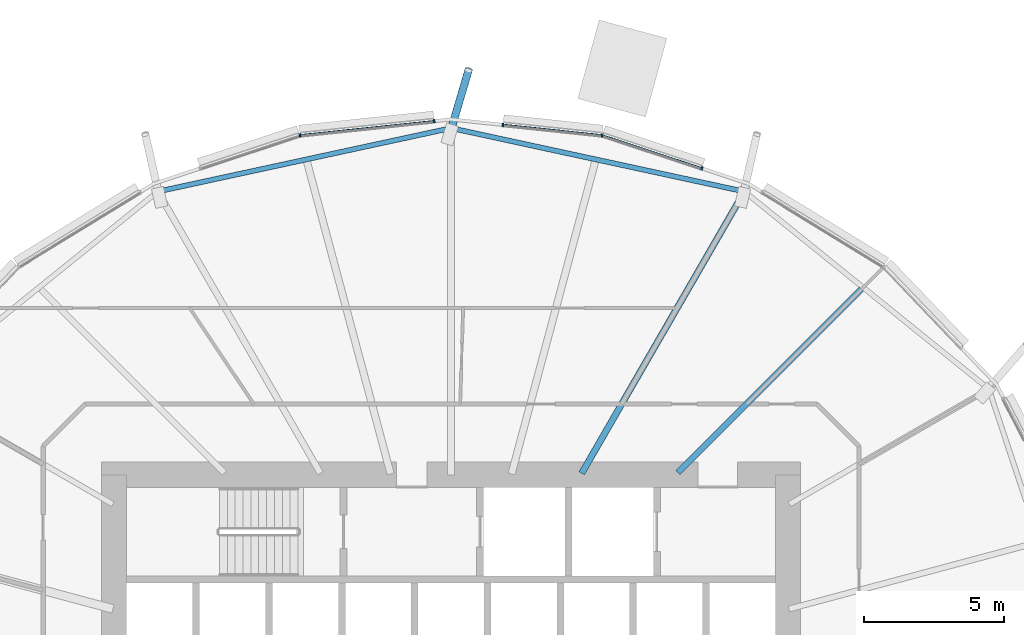
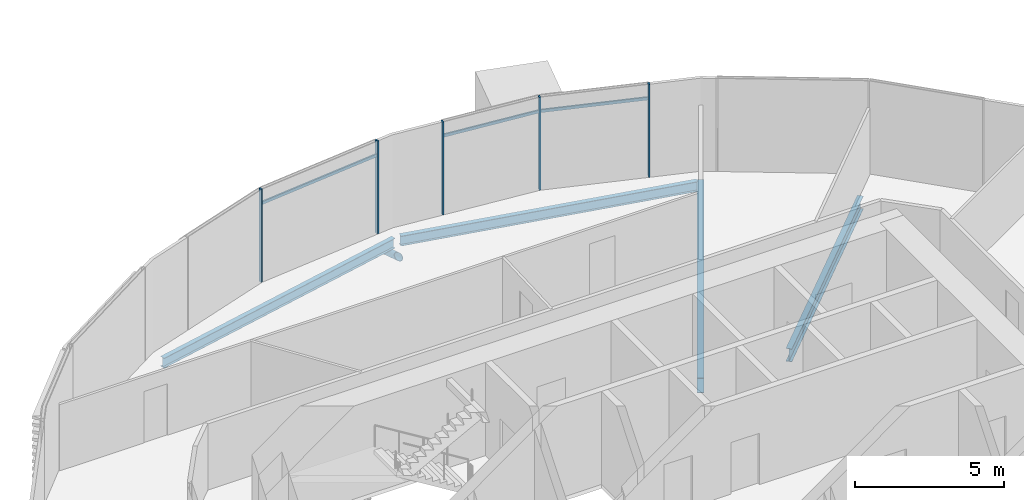
# One storey, part 10 of 38: 9 members, 4 beams, 1 element without a shape of its own.
"""IFC4 building model written with IfcOpenShell, lengths in metres."""

from ifc_helpers import new_model, si_unit, direction, frame, origin, origin_2d, place, context, subcontext, project, spatial, rectangle, hollow_circle, i_section, extrude, clip, halfspace, material, material_profile, profile_set, type_object, element, aggregate, save


model = new_model("IFC4")

# Units and contexts
model_context = context("Model", 3, precision=1e-05, world=origin(), true_north=direction((0.0, 1.0)))
body_context = subcontext(model_context, "Body", "Model", "MODEL_VIEW")
ifc_project = project(units=[si_unit("LENGTHUNIT", "METRE"), si_unit("AREAUNIT", "SQUARE_METRE"), si_unit("VOLUMEUNIT", "CUBIC_METRE"), si_unit("PLANEANGLEUNIT", "RADIAN"), si_unit("MASSUNIT", "GRAM", prefix="KILO")], contexts=[model_context])

# Site, building, storey
site_placement = place(None, origin())
site = spatial("IfcSite", under=ifc_project, at=site_placement, CompositionType="ELEMENT")
building_placement = place(site_placement, origin())
building = spatial("IfcBuilding", under=site, at=building_placement, Name="Rimbun Link Towers", CompositionType="ELEMENT")
storey_placement = place(building_placement, frame((0.0, 0.0, 56.60009765625)))
storey = spatial("IfcBuildingStorey", under=building, at=storey_placement, Name="L13", CompositionType="ELEMENT", Elevation=56.60009765625)

# Curtain wall, members
ifc_material_1 = material(Name="Aluminium 6063-T6 and low-iron glass", Category="aluminium")
curtain_wall_type = type_object("IfcCurtainWallType", Name="CW1 unitised vision wall", PredefinedType="NOTDEFINED", material=ifc_material_1)
curtain_wall_placement = place(storey_placement, origin())
curtain_wall = element("IfcCurtainWall", 1, at=curtain_wall_placement, inside=storey, type_object=curtain_wall_type, Name="CW1 L13 T1", PredefinedType="NOTDEFINED")
ifc_material_2 = material(Name="Aluminium 6063-T6", Category="aluminium")
ifc_material_profile_1 = material_profile(ifc_material_2, rectangle(XDim=0.1201171875, YDim=0.06005859375, at=origin_2d()), Name="MULLION 60X120")
ifc_profile_set_1 = profile_set([ifc_material_profile_1], Name="Aluminium 6063-T6")
member_type_1 = type_object("IfcMemberType", Name="CW1 mullion 60X120", PredefinedType="MULLION", material=ifc_profile_set_1)
member_1_placement = place(storey_placement, frame((-26.369384765625, 20.09228515625, 0.0), z_axis=(0.0, 0.0, 1.0), x_axis=(0.210873842747, 0.977513285048, 0.0)))
member_1 = element("IfcMember", 2, at=member_1_placement, type_object=member_type_1, Name="CW1 mullion", PredefinedType="MULLION", context=body_context, shape_type="SweptSolid", body=[
    extrude(rectangle(XDim=0.1201171875, YDim=0.06005859375, at=origin_2d()), origin(), (0.0, 0.0, 1.0), 3.7998046875),
])
member_2_placement = place(storey_placement, frame((-22.8212890625, 18.9169921875, 0.0), z_axis=(0.0, 0.0, 1.0), x_axis=(0.314563424855, 0.949236457235, 0.0)))
member_2 = element("IfcMember", 3, at=member_2_placement, type_object=member_type_1, Name="CW1 mullion", PredefinedType="MULLION", context=body_context, shape_type="SweptSolid", body=[
    extrude(rectangle(XDim=0.1201171875, YDim=0.06005859375, at=origin_2d()), origin(), (0.0, 0.0, 1.0), 3.7998046875),
])
member_3_placement = place(storey_placement, frame((-29.90380859375, 20.465087890625, 0.0), z_axis=(0.0, 0.0, 1.0), x_axis=(0.104748434017, 0.994498750915, 0.0)))
member_3 = element("IfcMember", 4, at=member_3_placement, type_object=member_type_1, Name="CW1 mullion", PredefinedType="MULLION", context=body_context, shape_type="SweptSolid", body=[
    extrude(rectangle(XDim=0.1201171875, YDim=0.06005859375, at=origin_2d()), origin(), (0.0, 0.0, 1.0), 3.7998046875),
])
member_4_placement = place(storey_placement, frame((-37.130615234375, 20.09228515625, 0.0), z_axis=(0.0, 0.0, 1.0), x_axis=(-0.210873842747, 0.977513285048, 0.0)))
member_4 = element("IfcMember", 5, at=member_4_placement, type_object=member_type_1, Name="CW1 mullion", PredefinedType="MULLION", context=body_context, shape_type="SweptSolid", body=[
    extrude(rectangle(XDim=0.1201171875, YDim=0.06005859375, at=origin_2d()), origin(), (0.0, 0.0, 1.0), 3.7998046875),
])
member_5_placement = place(storey_placement, frame((-32.35302734375, 20.595947265625, 0.0), z_axis=(0.0, 0.0, 1.0), x_axis=(-0.104748434017, 0.994498750915, 0.0)))
member_5 = element("IfcMember", 6, at=member_5_placement, type_object=member_type_1, Name="CW1 mullion", PredefinedType="MULLION", context=body_context, shape_type="SweptSolid", body=[
    extrude(rectangle(XDim=0.1201171875, YDim=0.06005859375, at=origin_2d()), origin(), (0.0, 0.0, 1.0), 3.7998046875),
])
ifc_material_3 = material(Name="Aluminium 6063-T6", Category="aluminium")
ifc_material_profile_2 = material_profile(ifc_material_3, rectangle(XDim=0.06005859375, YDim=0.1201171875, at=origin_2d()), Name="TRANSOM 60X120")
ifc_profile_set_2 = profile_set([ifc_material_profile_2], Name="Aluminium 6063-T6")
member_type_2 = type_object("IfcMemberType", Name="CW1 transom 60X120", PredefinedType="USERDEFINED", material=ifc_profile_set_2)
member_6_placement = place(storey_placement, frame((-26.335205078125, 20.079345703125, 3.199951171875), z_axis=(0.949240429316, -0.314551438326, 0.0), x_axis=(0.314551438326, 0.949240429316, 0.0)))
member_6 = element("IfcMember", 7, at=member_6_placement, type_object=member_type_2, Name="CW1 transom", ObjectType="TRANSOM", PredefinedType="USERDEFINED", context=body_context, shape_type="SweptSolid", body=[
    extrude(rectangle(XDim=0.06005859375, YDim=0.1201171875, at=origin_2d()), origin(), (0.0, 0.0, 1.0), 3.671142578125),
])
member_7_placement = place(storey_placement, frame((-29.874267578125, 20.4599609375, 3.199951171875), z_axis=(0.994494323971, -0.104790455619, 0.0), x_axis=(0.104790455619, 0.994494323971, 0.0)))
member_7 = element("IfcMember", 8, at=member_7_placement, type_object=member_type_2, Name="CW1 transom", ObjectType="TRANSOM", PredefinedType="USERDEFINED", context=body_context, shape_type="SweptSolid", body=[
    extrude(rectangle(XDim=0.06005859375, YDim=0.1201171875, at=origin_2d()), origin(), (0.0, 0.0, 1.0), 3.48779296875),
])
member_8_placement = place(storey_placement, frame((-37.09423828125, 20.094482421875, 3.199951171875), z_axis=(0.994497261387, 0.104762574869, 0.0), x_axis=(-0.104762574869, 0.994497261387, 0.0)))
member_8 = element("IfcMember", 9, at=member_8_placement, type_object=member_type_2, Name="CW1 transom", ObjectType="TRANSOM", PredefinedType="USERDEFINED", context=body_context, shape_type="SweptSolid", body=[
    extrude(rectangle(XDim=0.06005859375, YDim=0.1201171875, at=origin_2d()), origin(), (0.0, 0.0, 1.0), 4.73779296875),
])
aggregate(curtain_wall, [member_1, member_2, member_3, member_4, member_5, member_6, member_7, member_8])

# Member
ifc_material_4 = material(Name="Steel S355J2H", Category="steel")
ifc_material_profile_3 = material_profile(ifc_material_4, hollow_circle(Radius=0.136474609375, WallThickness=0.012451171875, at=origin_2d()), Name="CHS 273x12.5")
ifc_profile_set_3 = profile_set([ifc_material_profile_3], Name="Steel S355J2H")
member_type_3 = type_object("IfcMemberType", Name="Floor edge link CHS 273x12.5", PredefinedType="BRACE", material=ifc_profile_set_3)
member_9_placement = place(storey_placement, frame((-31.75, 20.297607421875, -0.962890625), z_axis=(0.247837726944, 0.841131681335, -0.480701524606), x_axis=(-0.95922768657, 0.28263447298, 0.0)))
element("IfcMember", 10, at=member_9_placement, inside=storey, type_object=member_type_3, Name="Floor edge link T1 L13 06", PredefinedType="BRACE", context=body_context, shape_type="Clipping", body=[
    clip(extrude(hollow_circle(Radius=0.136474609375, WallThickness=0.012451171875, at=origin_2d()), frame((0.0, 0.0, -0.518798828125)), (0.0, 0.0, 1.0), 3.062255859375), halfspace(frame((0.0, 0.0, -0.243896484375), z_axis=(0.0, 0.876884282127, -0.480701524606)), False)),
])

# Beams
ifc_material_5 = material(Name="Steel S355J2", Category="steel")
ifc_material_profile_4 = material_profile(ifc_material_5, i_section(OverallWidth=0.177978515625, OverallDepth=0.406494140625, WebThickness=0.0078125, FlangeThickness=0.0126953125, at=origin_2d()), Name="UB 406x178x60")
ifc_profile_set_4 = profile_set([ifc_material_profile_4], Name="Steel S355J2")
beam_type_1 = type_object("IfcBeamType", Name="UB 406x178x60", PredefinedType="BEAM", material=ifc_profile_set_4)
for number, where, z_axis, x_axis, name in (
    (11, (-21.42431640625, 18.114013671875, -0.36328125), (-0.977392737339, 0.21143187318, 0.0), (-0.21143187318, -0.977392737339, 0.0), "Edge beam T1 L13 04-06"),
    (12, (-31.877685546875, 20.320068359375, -0.36328125), (-0.977392737339, -0.21143187318, 0.0), (0.21143187318, -0.977392737339, 0.0), "Edge beam T1 L13 06-08"),
):
    element("IfcBeam", number, at=place(storey_placement, frame(where, z_axis=z_axis, x_axis=x_axis)), inside=storey, type_object=beam_type_1, Name=name, PredefinedType="BEAM", context=body_context, shape_type="SweptSolid", body=[
        extrude(i_section(OverallWidth=0.177978515625, OverallDepth=0.406494140625, WebThickness=0.0078125, FlangeThickness=0.0126953125, at=origin_2d()), origin(), (0.0, 0.0, 1.0), 10.433837890625),
    ])
ifc_material_6 = material(Name="Steel S355J2", Category="steel")
ifc_material_profile_5 = material_profile(ifc_material_6, i_section(OverallWidth=0.209228515625, OverallDepth=0.533203125, WebThickness=0.010009765625, FlangeThickness=0.015625, at=origin_2d()), Name="UB 533x210x92")
ifc_profile_set_5 = profile_set([ifc_material_profile_5], Name="Steel S355J2")
beam_type_2 = type_object("IfcBeamType", Name="UB 533x210x92", PredefinedType="BEAM", material=ifc_profile_set_5)
beam_1_placement = place(storey_placement, frame((-23.67529296875, 8.07470703125, -0.426513671875), z_axis=(0.707106781187, 0.707106781187, 0.0), x_axis=(-0.707106781187, 0.707106781187, 0.0)))
element("IfcBeam", 13, at=beam_1_placement, inside=storey, type_object=beam_type_2, Name="Radial beam T1 L13 03", PredefinedType="BEAM", context=body_context, shape_type="SweptSolid", body=[
    extrude(i_section(OverallWidth=0.209228515625, OverallDepth=0.533203125, WebThickness=0.010009765625, FlangeThickness=0.015625, at=origin_2d()), origin(), (0.0, 0.0, 1.0), 9.24072265625),
])
ifc_material_7 = material(Name="Steel S355J2", Category="steel")
ifc_material_profile_6 = material_profile(ifc_material_7, i_section(OverallWidth=0.2275390625, OverallDepth=0.6025390625, WebThickness=0.010498046875, FlangeThickness=0.014892578125, at=origin_2d()), Name="UB 610x229x101")
ifc_profile_set_6 = profile_set([ifc_material_profile_6], Name="Steel S355J2")
beam_type_3 = type_object("IfcBeamType", Name="UB 610x229x101", PredefinedType="BEAM", material=ifc_profile_set_6)
beam_2_placement = place(storey_placement, frame((-27.097900390625, 8.057861328125, -0.46142578125), z_axis=(0.500008919292, 0.866020254168, 0.0), x_axis=(-0.866020254168, 0.500008919292, 0.0)))
element("IfcBeam", 14, at=beam_2_placement, inside=storey, type_object=beam_type_3, Name="Radial beam T1 L13 04", PredefinedType="BEAM", context=body_context, shape_type="SweptSolid", body=[
    extrude(i_section(OverallWidth=0.2275390625, OverallDepth=0.6025390625, WebThickness=0.010498046875, FlangeThickness=0.014892578125, at=origin_2d()), origin(), (0.0, 0.0, 1.0), 11.582275390625),
])

save(model, "model.ifc")
